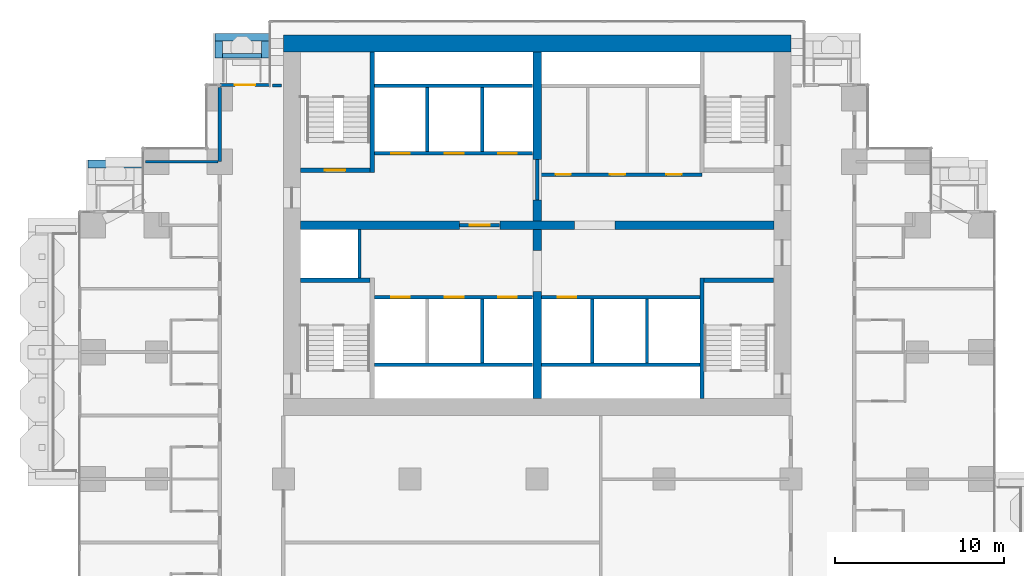
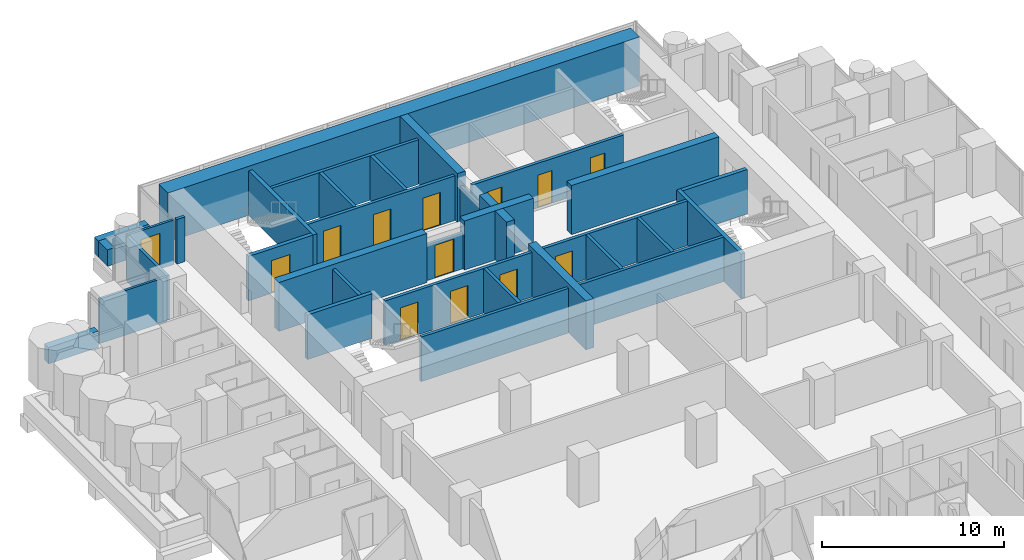
# One storey, part 14 of 19: 37 walls, 13 doors, 13 openings.
"""IFC4 building model written with IfcOpenShell, lengths in metres."""

from ifc_helpers import new_model, si_unit, direction, frame, frame_2d, origin, place, context, subcontext, project, spatial, rectangle, extrude, material, layer, layer_set, type_object, element, fill, save


model = new_model("IFC4")

# Units and contexts
model_context = context("Model", 3, precision=1e-05, world=origin(), true_north=direction((0.0, 1.0)))
body_context = subcontext(model_context, "Body", "Model", "MODEL_VIEW")
ifc_project = project(units=[si_unit("LENGTHUNIT", "METRE"), si_unit("AREAUNIT", "SQUARE_METRE"), si_unit("VOLUMEUNIT", "CUBIC_METRE"), si_unit("PLANEANGLEUNIT", "RADIAN"), si_unit("MASSUNIT", "GRAM", prefix="KILO")], contexts=[model_context])

# Site, building, storey
site_placement = place(None, origin())
site = spatial("IfcSite", under=ifc_project, at=site_placement, CompositionType="ELEMENT")
building_placement = place(site_placement, origin())
building = spatial("IfcBuilding", under=site, at=building_placement, Name="Pilkhan Gate Tower", CompositionType="ELEMENT")
storey_placement = place(building_placement, frame((0.0, 0.0, 62.60009765625)))
storey = spatial("IfcBuildingStorey", under=building, at=storey_placement, Name="L13", CompositionType="ELEMENT", Elevation=62.60009765625)

# Walls
ifc_material_1 = material(Name="Concrete C40/50", Category="concrete")
ifc_layer_1 = layer(ifc_material_1, 0.25)
ifc_layer_set_1 = layer_set([ifc_layer_1], Name="Balcony planter BP250")
wall_type_1 = type_object("IfcWallType", Name="Balcony planter BP250", PredefinedType="USERDEFINED", material=ifc_layer_set_1)
wall_1_placement = place(storey_placement, frame((56.39990234375, 92.52490234375, 0.0), z_axis=(0.0, 0.0, 1.0), x_axis=(1.0, 0.0, 0.0)))
element("IfcWall", 1, at=wall_1_placement, inside=storey, type_object=wall_type_1, Name="Balcony planter L13 N", ObjectType="BALCONY PLANTER", PredefinedType="USERDEFINED", context=body_context, shape_type="SweptSolid", body=[
    extrude(rectangle(XDim=2.300048828125, YDim=0.25, at=frame_2d((1.14990234375, 0.0))), origin(), (0.0, 0.0, 1.0), 1.0),
])
ifc_material_2 = material(Name="Board-marked Concrete C40/50", Category="concrete")
ifc_layer_2 = layer(ifc_material_2, 0.449951171875)
ifc_layer_set_2 = layer_set([ifc_layer_2], Name="Balcony planter lip BL450")
wall_type_2 = type_object("IfcWallType", Name="Balcony planter lip BL450", PredefinedType="USERDEFINED", material=ifc_layer_set_2)
wall_2_placement = place(storey_placement, frame((55.949951171875, 93.625, 0.0), z_axis=(0.0, 0.0, 1.0), x_axis=(1.0, 0.0, 0.0)))
element("IfcWall", 2, at=wall_2_placement, inside=storey, type_object=wall_type_2, Name="Balcony planter L13 N", ObjectType="BALCONY PLANTER", PredefinedType="USERDEFINED", context=body_context, shape_type="SweptSolid", body=[
    extrude(rectangle(XDim=3.199951171875, YDim=0.449951171875, at=frame_2d((1.60009765625, 0.0))), origin(), (0.0, 0.0, 1.0), 1.099853515625),
])
for number, where, z_axis, x_axis, name in (
    (3, (56.175048828125, 92.39990234375, 0.0), (0.0, 0.0, 1.0), (0.0, 1.0, 0.0), "Balcony planter L13 N"),
    (4, (58.925048828125, 92.39990234375, 0.0), (0.0, 0.0, 1.0), (0.0, 1.0, 0.0), "Balcony planter L13 N"),
):
    element("IfcWall", number, at=place(storey_placement, frame(where, z_axis=z_axis, x_axis=x_axis)), inside=storey, type_object=wall_type_2, Name=name, ObjectType="BALCONY PLANTER", PredefinedType="USERDEFINED", context=body_context, shape_type="SweptSolid", body=[
        extrude(rectangle(XDim=1.0, YDim=0.449951171875, at=frame_2d((0.5, 0.0))), origin(), (0.0, 0.0, 1.0), 1.099853515625),
    ])
wall_3_placement = place(storey_placement, frame((48.449951171875, 86.125, 0.0), z_axis=(0.0, 0.0, 1.0), x_axis=(1.0, 0.0, 0.0)))
element("IfcWall", 5, at=wall_3_placement, inside=storey, type_object=wall_type_2, Name="Balcony planter L13 N", ObjectType="BALCONY PLANTER", PredefinedType="USERDEFINED", context=body_context, shape_type="SweptSolid", body=[
    extrude(rectangle(XDim=3.179931640625, YDim=0.449951171875, at=frame_2d((1.58984375, 0.0))), origin(), (0.0, 0.0, 1.0), 1.099853515625),
])
ifc_material_3 = material(Name="Concrete C70/85", Category="concrete")
ifc_layer_3 = layer(ifc_material_3, 1.0)
ifc_layer_set_3 = layer_set([ifc_layer_3], Name="Core wall CW1000 C70/85")
wall_type_3 = type_object("IfcWallType", Name="Core wall CW1000 C70/85", PredefinedType="SHEAR", material=ifc_layer_set_3)
wall_4_placement = place(storey_placement, frame((90.0, 93.25, 0.0), z_axis=(0.0, 0.0, 1.0), x_axis=(-1.0, 0.0, 0.0)))
element("IfcWall", 6, at=wall_4_placement, inside=storey, type_object=wall_type_3, Name="Core wall N L13", PredefinedType="SHEAR", context=body_context, shape_type="SweptSolid", body=[
    extrude(rectangle(XDim=30.0, YDim=1.0, at=frame_2d((15.0, 0.0))), origin(), (0.0, 0.0, 1.0), 3.2998046875),
])
ifc_material_4 = material(Name="Dense blockwork", Category="masonry")
ifc_layer_4 = layer(ifc_material_4, 0.199951171875)
ifc_layer_set_4 = layer_set([ifc_layer_4], Name="Corridor wall FW200")
wall_type_4 = type_object("IfcWallType", Name="Corridor wall FW200", PredefinedType="PARTITIONING", material=ifc_layer_set_4)
wall_5_placement = place(storey_placement, frame((59.35498046875, 90.764892578125, 0.0), z_axis=(0.0, 0.0, 1.0), x_axis=(1.0, 0.0, 0.0)))
element("IfcWall", 7, at=wall_5_placement, inside=storey, type_object=wall_type_4, Name="Partition L13", PredefinedType="PARTITIONING", context=body_context, shape_type="SweptSolid", body=[
    extrude(rectangle(XDim=0.52490234375, YDim=0.199951171875, at=frame_2d((0.262451171875, 0.0))), origin(), (0.0, 0.0, 1.0), 3.0),
])
wall_6_placement = place(storey_placement, frame((56.25, 86.280029296875, 0.0), z_axis=(0.0, 0.0, 1.0), x_axis=(0.0, 1.0, 0.0)))
element("IfcWall", 8, at=wall_6_placement, inside=storey, type_object=wall_type_4, Name="Partition L13", PredefinedType="PARTITIONING", context=body_context, shape_type="SweptSolid", body=[
    extrude(rectangle(XDim=4.364990234375, YDim=0.199951171875, at=frame_2d((2.1826171875, 0.0))), origin(), (0.0, 0.0, 1.0), 3.0),
])

# Wall, opening, door
ifc_material_5 = material(Name="Pale anodised aluminium, clear laminated glazing", Category="aluminium")
ifc_layer_5 = layer(ifc_material_5, 0.14990234375)
ifc_layer_set_5 = layer_set([ifc_layer_5], Name="Facade infill wall IW150")
wall_type_5 = type_object("IfcWallType", Name="Facade infill wall IW150", PredefinedType="SOLIDWALL", material=ifc_layer_set_5)
wall_7_placement = place(storey_placement, frame((56.25, 90.794921875, 0.0), z_axis=(0.0, 0.0, 1.0), x_axis=(1.0, 0.0, 0.0)))
wall_7 = element("IfcWall", 9, at=wall_7_placement, inside=storey, type_object=wall_type_5, Name="Infill wall L13 N", PredefinedType="SOLIDWALL", context=body_context, shape_type="SweptSolid", body=[
    extrude(rectangle(XDim=2.955078125, YDim=0.14990234375, at=frame_2d((1.4775390625, 0.0))), origin(), (0.0, 0.0, 1.0), 3.0),
])
opening_1_placement = place(wall_7_placement, frame((0.87744140625, 0.0, 0.0)))
opening_1 = element("IfcOpeningElement", 10, at=opening_1_placement, cuts=wall_7, Name="Opening D1", PredefinedType="OPENING", context=body_context, shape_type="SweptSolid", body=[
    extrude(rectangle(XDim=1.199951171875, YDim=2.39990234375, at=frame_2d((0.60009765625, 1.199951171875))), frame((0.0, 0.0849609375, 0.0), z_axis=(0.0, -1.0, 0.0), x_axis=(1.0, 0.0, 0.0)), (0.0, 0.0, 1.0), 0.169921875),
])
ifc_material_6 = material(Name="Pale anodised aluminium, clear glazing", Category="aluminium")
door_type_1 = type_object("IfcDoorType", Name="Balcony door D1 1200x2400", OperationType="SINGLE_SWING_LEFT", PredefinedType="DOOR", material=ifc_material_6)
door_1_placement = place(opening_1_placement, origin())
door_1 = element("IfcDoor", 11, at=door_1_placement, inside=storey, type_object=door_type_1, Name="Balcony door L13", OperationType="SINGLE_SWING_LEFT", OverallHeight=2.39990234375, OverallWidth=1.199951171875, PredefinedType="DOOR", context=body_context, shape_type="SweptSolid", body=[
    extrude(rectangle(XDim=1.199951171875, YDim=2.39990234375, at=frame_2d((0.60009765625, 1.199951171875))), frame((0.0, 0.02490234375, 0.0), z_axis=(0.0, -1.0, 0.0), x_axis=(1.0, 0.0, 0.0)), (0.0, 0.0, 1.0), 0.050048828125),
])
fill(opening_1, door_1)

ifc_layer_6 = layer(ifc_material_4, 0.199951171875)
ifc_layer_set_6 = layer_set([ifc_layer_6], Name="Lobby wall LW200")
wall_type_6 = type_object("IfcWallType", Name="Lobby wall LW200", PredefinedType="PARTITIONING", material=ifc_layer_set_6)
wall_8_placement = place(storey_placement, frame((70.409912109375, 82.5, 0.0), z_axis=(0.0, 0.0, 1.0), x_axis=(1.0, 0.0, 0.0)))
wall_8 = element("IfcWall", 12, at=wall_8_placement, inside=storey, type_object=wall_type_6, Name="Partition L13", PredefinedType="PARTITIONING", context=body_context, shape_type="SweptSolid", body=[
    extrude(rectangle(XDim=2.380126953125, YDim=0.199951171875, at=frame_2d((1.18994140625, 0.0))), origin(), (0.0, 0.0, 1.0), 2.39990234375),
])
opening_2_placement = place(wall_8_placement, frame((0.60009765625, 0.0, 0.0)))
opening_2 = element("IfcOpeningElement", 13, at=opening_2_placement, cuts=wall_8, Name="Opening L13-01", PredefinedType="OPENING", context=body_context, shape_type="SweptSolid", body=[
    extrude(rectangle(XDim=1.199951171875, YDim=2.199951171875, at=frame_2d((0.60009765625, 1.10009765625))), frame((0.0, 0.10986328125, 0.0), z_axis=(0.0, -1.0, 0.0), x_axis=(1.0, 0.0, 0.0)), (0.0, 0.0, 1.0), 0.219970703125),
])
ifc_material_7 = material(Name="Steel door, 120 minute fire resisting, self-closing", Category="steel")
door_type_2 = type_object("IfcDoorType", Name="Firefighting lobby door D10 1200x2200", OperationType="SINGLE_SWING_LEFT", PredefinedType="DOOR", material=ifc_material_7)
door_2_placement = place(opening_2_placement, origin())
door_2 = element("IfcDoor", 14, at=door_2_placement, inside=storey, type_object=door_type_2, Name="Firefighting lobby door", OperationType="SINGLE_SWING_RIGHT", OverallHeight=2.199951171875, OverallWidth=1.199951171875, PredefinedType="DOOR", context=body_context, shape_type="SweptSolid", body=[
    extrude(rectangle(XDim=1.199951171875, YDim=2.199951171875, at=frame_2d((0.60009765625, 1.10009765625))), frame((0.0, 0.02490234375, 0.0), z_axis=(0.0, -1.0, 0.0), x_axis=(1.0, 0.0, 0.0)), (0.0, 0.0, 1.0), 0.050048828125),
])
fill(opening_2, door_2)

# Wall, openings, doors
wall_9_placement = place(storey_placement, frame((75.10009765625, 85.5, 0.0), z_axis=(0.0, 0.0, 1.0), x_axis=(1.0, 0.0, 0.0)))
wall_9 = element("IfcWall", 15, at=wall_9_placement, inside=storey, type_object=wall_type_6, Name="Partition L13", PredefinedType="PARTITIONING", context=body_context, shape_type="SweptSolid", body=[
    extrude(rectangle(XDim=9.64990234375, YDim=0.199951171875, at=frame_2d((4.824951171875, 0.0))), origin(), (0.0, 0.0, 1.0), 3.0),
])
opening_3_placement = place(wall_9_placement, frame((1.0, 0.0, 0.0)))
opening_3 = element("IfcOpeningElement", 16, at=opening_3_placement, cuts=wall_9, Name="Opening L13-57", PredefinedType="OPENING", context=body_context, shape_type="SweptSolid", body=[
    extrude(rectangle(XDim=0.89990234375, YDim=2.199951171875, at=frame_2d((0.449951171875, 1.10009765625))), frame((0.0, 0.10986328125, 0.0), z_axis=(0.0, -1.0, 0.0), x_axis=(1.0, 0.0, 0.0)), (0.0, 0.0, 1.0), 0.219970703125),
])
opening_4_placement = place(wall_9_placement, frame((4.199951171875, 0.0, 0.0)))
opening_4 = element("IfcOpeningElement", 17, at=opening_4_placement, cuts=wall_9, Name="Opening L13-58", PredefinedType="OPENING", context=body_context, shape_type="SweptSolid", body=[
    extrude(rectangle(XDim=0.89990234375, YDim=2.199951171875, at=frame_2d((0.449951171875, 1.10009765625))), frame((0.0, 0.10986328125, 0.0), z_axis=(0.0, -1.0, 0.0), x_axis=(1.0, 0.0, 0.0)), (0.0, 0.0, 1.0), 0.219970703125),
])
opening_5_placement = place(wall_9_placement, frame((7.550048828125, 0.0, 0.0)))
opening_5 = element("IfcOpeningElement", 18, at=opening_5_placement, cuts=wall_9, Name="Opening L13-59", PredefinedType="OPENING", context=body_context, shape_type="SweptSolid", body=[
    extrude(rectangle(XDim=0.89990234375, YDim=2.199951171875, at=frame_2d((0.449951171875, 1.10009765625))), frame((0.0, 0.10986328125, 0.0), z_axis=(0.0, -1.0, 0.0), x_axis=(1.0, 0.0, 0.0)), (0.0, 0.0, 1.0), 0.219970703125),
])
ifc_material_8 = material(Name="Timber flush door, 60 minute fire resisting, self-closing", Category="wood")
door_type_3 = type_object("IfcDoorType", Name="Store door D05 900x2200", OperationType="SINGLE_SWING_LEFT", PredefinedType="DOOR", material=ifc_material_8)
door_3_placement = place(opening_4_placement, origin())
door_3 = element("IfcDoor", 19, at=door_3_placement, inside=storey, type_object=door_type_3, Name="Store door", OperationType="SINGLE_SWING_RIGHT", OverallHeight=2.199951171875, OverallWidth=0.89990234375, PredefinedType="DOOR", context=body_context, shape_type="SweptSolid", body=[
    extrude(rectangle(XDim=0.89990234375, YDim=2.199951171875, at=frame_2d((0.449951171875, 1.10009765625))), frame((0.0, 0.02490234375, 0.0), z_axis=(0.0, -1.0, 0.0), x_axis=(1.0, 0.0, 0.0)), (0.0, 0.0, 1.0), 0.050048828125),
])
fill(opening_4, door_3)
door_4_placement = place(opening_5_placement, origin())
door_4 = element("IfcDoor", 20, at=door_4_placement, inside=storey, type_object=door_type_3, Name="Store door", OperationType="SINGLE_SWING_RIGHT", OverallHeight=2.199951171875, OverallWidth=0.89990234375, PredefinedType="DOOR", context=body_context, shape_type="SweptSolid", body=[
    extrude(rectangle(XDim=0.89990234375, YDim=2.199951171875, at=frame_2d((0.449951171875, 1.10009765625))), frame((0.0, 0.02490234375, 0.0), z_axis=(0.0, -1.0, 0.0), x_axis=(1.0, 0.0, 0.0)), (0.0, 0.0, 1.0), 0.050048828125),
])
fill(opening_5, door_4)
ifc_material_9 = material(Name="Timber flush door, 30 minute fire resisting", Category="wood")
door_type_4 = type_object("IfcDoorType", Name="Toilet door D06 900x2200", OperationType="SINGLE_SWING_LEFT", PredefinedType="DOOR", material=ifc_material_9)
door_5_placement = place(opening_3_placement, origin())
door_5 = element("IfcDoor", 21, at=door_5_placement, inside=storey, type_object=door_type_4, Name="Toilet door", OperationType="SINGLE_SWING_RIGHT", OverallHeight=2.199951171875, OverallWidth=0.89990234375, PredefinedType="DOOR", context=body_context, shape_type="SweptSolid", body=[
    extrude(rectangle(XDim=0.89990234375, YDim=2.199951171875, at=frame_2d((0.449951171875, 1.10009765625))), frame((0.0, 0.02490234375, 0.0), z_axis=(0.0, -1.0, 0.0), x_axis=(1.0, 0.0, 0.0)), (0.0, 0.0, 1.0), 0.050048828125),
])
fill(opening_3, door_5)

# Walls
wall_10_placement = place(storey_placement, frame((75.0, 84.010009765625, 0.0), z_axis=(0.0, 0.0, 1.0), x_axis=(0.0, 1.0, 0.0)))
element("IfcWall", 22, at=wall_10_placement, inside=storey, type_object=wall_type_6, Name="Partition L13", PredefinedType="PARTITIONING", context=body_context, shape_type="SweptSolid", body=[
    extrude(rectangle(XDim=2.3798828125, YDim=0.199951171875, at=frame_2d((1.18994140625, 0.0))), origin(), (0.0, 0.0, 1.0), 2.39990234375),
])
ifc_material_10 = material(Name="Blockwork partition, plastered both sides", Category="masonry")
ifc_layer_7 = layer(ifc_material_10, 0.14990234375)
ifc_layer_set_7 = layer_set([ifc_layer_7], Name="Partition PW150")
wall_type_7 = type_object("IfcWallType", Name="Partition PW150", PredefinedType="PARTITIONING", material=ifc_layer_set_7)
wall_11_placement = place(storey_placement, frame((51.85498046875, 86.25, 0.0), z_axis=(0.0, 0.0, 1.0), x_axis=(1.0, 0.0, 0.0)))
element("IfcWall", 23, at=wall_11_placement, inside=storey, type_object=wall_type_7, Name="Partition L13", PredefinedType="PARTITIONING", context=body_context, shape_type="SweptSolid", body=[
    extrude(rectangle(XDim=4.294921875, YDim=0.14990234375, at=frame_2d((2.1474609375, 0.0))), origin(), (0.0, 0.0, 1.0), 3.0),
])
ifc_material_11 = material(Name="Reinforced blockwork shaft wall, 120 minute fire resisting", Category="masonry")
ifc_layer_8 = layer(ifc_material_11, 0.199951171875)
ifc_layer_set_8 = layer_set([ifc_layer_8], Name="Shaft wall SW200")
wall_type_8 = type_object("IfcWallType", Name="Shaft wall SW200", PredefinedType="PARTITIONING", material=ifc_layer_set_8)
for number, where, z_axis, x_axis, name in (
    (24, (65.375, 74.25, 0.0), (0.0, 0.0, 1.0), (1.0, 0.0, 0.0), "Partition L13"),
    (25, (75.260009765625, 74.25, 0.0), (0.0, 0.0, 1.0), (1.0, 0.0, 0.0), "Partition L13"),
):
    element("IfcWall", number, at=place(storey_placement, frame(where, z_axis=z_axis, x_axis=x_axis)), inside=storey, type_object=wall_type_8, Name=name, PredefinedType="PARTITIONING", context=body_context, shape_type="SweptSolid", body=[
        extrude(rectangle(XDim=9.364990234375, YDim=0.199951171875, at=frame_2d((4.6826171875, 0.0))), origin(), (0.0, 0.0, 1.0), 3.0),
    ])

# Wall, openings, doors
wall_12_placement = place(storey_placement, frame((65.375, 78.25, 0.0), z_axis=(0.0, 0.0, 1.0), x_axis=(1.0, 0.0, 0.0)))
wall_12 = element("IfcWall", 26, at=wall_12_placement, inside=storey, type_object=wall_type_8, Name="Partition L13", PredefinedType="PARTITIONING", context=body_context, shape_type="SweptSolid", body=[
    extrude(rectangle(XDim=9.364990234375, YDim=0.199951171875, at=frame_2d((4.6826171875, 0.0))), origin(), (0.0, 0.0, 1.0), 3.0),
])
opening_6_placement = place(wall_12_placement, frame((1.0, 0.0, 0.0)))
opening_6 = element("IfcOpeningElement", 27, at=opening_6_placement, cuts=wall_12, Name="Opening LD", PredefinedType="OPENING", context=body_context, shape_type="SweptSolid", body=[
    extrude(rectangle(XDim=1.10009765625, YDim=2.199951171875, at=frame_2d((0.550048828125, 1.10009765625))), frame((0.0, 0.10986328125, 0.0), z_axis=(0.0, -1.0, 0.0), x_axis=(1.0, 0.0, 0.0)), (0.0, 0.0, 1.0), 0.219970703125),
])
opening_7_placement = place(wall_12_placement, frame((4.175048828125, 0.0, 0.0)))
opening_7 = element("IfcOpeningElement", 28, at=opening_7_placement, cuts=wall_12, Name="Opening LD", PredefinedType="OPENING", context=body_context, shape_type="SweptSolid", body=[
    extrude(rectangle(XDim=1.10009765625, YDim=2.199951171875, at=frame_2d((0.550048828125, 1.10009765625))), frame((0.0, 0.10986328125, 0.0), z_axis=(0.0, -1.0, 0.0), x_axis=(1.0, 0.0, 0.0)), (0.0, 0.0, 1.0), 0.219970703125),
])
opening_8_placement = place(wall_12_placement, frame((7.324951171875, 0.0, 0.0)))
opening_8 = element("IfcOpeningElement", 29, at=opening_8_placement, cuts=wall_12, Name="Opening LD", PredefinedType="OPENING", context=body_context, shape_type="SweptSolid", body=[
    extrude(rectangle(XDim=1.10009765625, YDim=2.199951171875, at=frame_2d((0.550048828125, 1.10009765625))), frame((0.0, 0.10986328125, 0.0), z_axis=(0.0, -1.0, 0.0), x_axis=(1.0, 0.0, 0.0)), (0.0, 0.0, 1.0), 0.219970703125),
])
ifc_material_12 = material(Name="Stainless steel centre-opening landing door, 120 minute fire resisting", Category="steel")
door_type_5 = type_object("IfcDoorType", Name="Lift landing door LD 1100x2200", OperationType="DOUBLE_DOOR_SLIDING", PredefinedType="DOOR", material=ifc_material_12)
door_6_placement = place(opening_6_placement, origin())
door_6 = element("IfcDoor", 30, at=door_6_placement, inside=storey, type_object=door_type_5, Name="Landing door LR1", OperationType="DOUBLE_DOOR_SLIDING", OverallHeight=2.199951171875, OverallWidth=1.10009765625, PredefinedType="DOOR", context=body_context, shape_type="SweptSolid", body=[
    extrude(rectangle(XDim=1.10009765625, YDim=2.199951171875, at=frame_2d((0.550048828125, 1.10009765625))), frame((0.0, 0.02490234375, 0.0), z_axis=(0.0, -1.0, 0.0), x_axis=(1.0, 0.0, 0.0)), (0.0, 0.0, 1.0), 0.050048828125),
])
fill(opening_6, door_6)
door_7_placement = place(opening_7_placement, origin())
door_7 = element("IfcDoor", 31, at=door_7_placement, inside=storey, type_object=door_type_5, Name="Landing door LR2", OperationType="DOUBLE_DOOR_SLIDING", OverallHeight=2.199951171875, OverallWidth=1.10009765625, PredefinedType="DOOR", context=body_context, shape_type="SweptSolid", body=[
    extrude(rectangle(XDim=1.10009765625, YDim=2.199951171875, at=frame_2d((0.550048828125, 1.10009765625))), frame((0.0, 0.02490234375, 0.0), z_axis=(0.0, -1.0, 0.0), x_axis=(1.0, 0.0, 0.0)), (0.0, 0.0, 1.0), 0.050048828125),
])
fill(opening_7, door_7)
door_8_placement = place(opening_8_placement, origin())
door_8 = element("IfcDoor", 32, at=door_8_placement, inside=storey, type_object=door_type_5, Name="Landing door LR3", OperationType="DOUBLE_DOOR_SLIDING", OverallHeight=2.199951171875, OverallWidth=1.10009765625, PredefinedType="DOOR", context=body_context, shape_type="SweptSolid", body=[
    extrude(rectangle(XDim=1.10009765625, YDim=2.199951171875, at=frame_2d((0.550048828125, 1.10009765625))), frame((0.0, 0.02490234375, 0.0), z_axis=(0.0, -1.0, 0.0), x_axis=(1.0, 0.0, 0.0)), (0.0, 0.0, 1.0), 0.050048828125),
])
fill(opening_8, door_8)

# Wall, opening, door
wall_13_placement = place(storey_placement, frame((75.260009765625, 78.25, 0.0), z_axis=(0.0, 0.0, 1.0), x_axis=(1.0, 0.0, 0.0)))
wall_13 = element("IfcWall", 33, at=wall_13_placement, inside=storey, type_object=wall_type_8, Name="Partition L13", PredefinedType="PARTITIONING", context=body_context, shape_type="SweptSolid", body=[
    extrude(rectangle(XDim=9.364990234375, YDim=0.199951171875, at=frame_2d((4.6826171875, 0.0))), origin(), (0.0, 0.0, 1.0), 3.0),
])
opening_9_placement = place(wall_13_placement, frame((0.949951171875, 0.0, 0.0)))
opening_9 = element("IfcOpeningElement", 34, at=opening_9_placement, cuts=wall_13, Name="Opening LD", PredefinedType="OPENING", context=body_context, shape_type="SweptSolid", body=[
    extrude(rectangle(XDim=1.10009765625, YDim=2.199951171875, at=frame_2d((0.550048828125, 1.10009765625))), frame((0.0, 0.10986328125, 0.0), z_axis=(0.0, -1.0, 0.0), x_axis=(1.0, 0.0, 0.0)), (0.0, 0.0, 1.0), 0.219970703125),
])
door_9_placement = place(opening_9_placement, origin())
door_9 = element("IfcDoor", 35, at=door_9_placement, inside=storey, type_object=door_type_5, Name="Landing door LR4", OperationType="DOUBLE_DOOR_SLIDING", OverallHeight=2.199951171875, OverallWidth=1.10009765625, PredefinedType="DOOR", context=body_context, shape_type="SweptSolid", body=[
    extrude(rectangle(XDim=1.10009765625, YDim=2.199951171875, at=frame_2d((0.550048828125, 1.10009765625))), frame((0.0, 0.02490234375, 0.0), z_axis=(0.0, -1.0, 0.0), x_axis=(1.0, 0.0, 0.0)), (0.0, 0.0, 1.0), 0.050048828125),
])
fill(opening_9, door_9)

# Wall, openings, doors
wall_14_placement = place(storey_placement, frame((65.375, 86.75, 0.0), z_axis=(0.0, 0.0, 1.0), x_axis=(1.0, 0.0, 0.0)))
wall_14 = element("IfcWall", 36, at=wall_14_placement, inside=storey, type_object=wall_type_8, Name="Partition L13", PredefinedType="PARTITIONING", context=body_context, shape_type="SweptSolid", body=[
    extrude(rectangle(XDim=9.364990234375, YDim=0.199951171875, at=frame_2d((4.6826171875, 0.0))), origin(), (0.0, 0.0, 1.0), 3.0),
])
opening_10_placement = place(wall_14_placement, frame((1.0, 0.0, 0.0)))
opening_10 = element("IfcOpeningElement", 37, at=opening_10_placement, cuts=wall_14, Name="Opening LD", PredefinedType="OPENING", context=body_context, shape_type="SweptSolid", body=[
    extrude(rectangle(XDim=1.10009765625, YDim=2.199951171875, at=frame_2d((0.550048828125, 1.10009765625))), frame((0.0, 0.10986328125, 0.0), z_axis=(0.0, -1.0, 0.0), x_axis=(1.0, 0.0, 0.0)), (0.0, 0.0, 1.0), 0.219970703125),
])
opening_11_placement = place(wall_14_placement, frame((4.175048828125, 0.0, 0.0)))
opening_11 = element("IfcOpeningElement", 38, at=opening_11_placement, cuts=wall_14, Name="Opening LD", PredefinedType="OPENING", context=body_context, shape_type="SweptSolid", body=[
    extrude(rectangle(XDim=1.10009765625, YDim=2.199951171875, at=frame_2d((0.550048828125, 1.10009765625))), frame((0.0, 0.10986328125, 0.0), z_axis=(0.0, -1.0, 0.0), x_axis=(1.0, 0.0, 0.0)), (0.0, 0.0, 1.0), 0.219970703125),
])
opening_12_placement = place(wall_14_placement, frame((7.324951171875, 0.0, 0.0)))
opening_12 = element("IfcOpeningElement", 39, at=opening_12_placement, cuts=wall_14, Name="Opening LD", PredefinedType="OPENING", context=body_context, shape_type="SweptSolid", body=[
    extrude(rectangle(XDim=1.10009765625, YDim=2.199951171875, at=frame_2d((0.550048828125, 1.10009765625))), frame((0.0, 0.10986328125, 0.0), z_axis=(0.0, -1.0, 0.0), x_axis=(1.0, 0.0, 0.0)), (0.0, 0.0, 1.0), 0.219970703125),
])
door_10_placement = place(opening_10_placement, origin())
door_10 = element("IfcDoor", 40, at=door_10_placement, inside=storey, type_object=door_type_5, Name="Landing door FF1", OperationType="DOUBLE_DOOR_SLIDING", OverallHeight=2.199951171875, OverallWidth=1.10009765625, PredefinedType="DOOR", context=body_context, shape_type="SweptSolid", body=[
    extrude(rectangle(XDim=1.10009765625, YDim=2.199951171875, at=frame_2d((0.550048828125, 1.10009765625))), frame((0.0, 0.02490234375, 0.0), z_axis=(0.0, -1.0, 0.0), x_axis=(1.0, 0.0, 0.0)), (0.0, 0.0, 1.0), 0.050048828125),
])
fill(opening_10, door_10)
door_11_placement = place(opening_11_placement, origin())
door_11 = element("IfcDoor", 41, at=door_11_placement, inside=storey, type_object=door_type_5, Name="Landing door FF2", OperationType="DOUBLE_DOOR_SLIDING", OverallHeight=2.199951171875, OverallWidth=1.10009765625, PredefinedType="DOOR", context=body_context, shape_type="SweptSolid", body=[
    extrude(rectangle(XDim=1.10009765625, YDim=2.199951171875, at=frame_2d((0.550048828125, 1.10009765625))), frame((0.0, 0.02490234375, 0.0), z_axis=(0.0, -1.0, 0.0), x_axis=(1.0, 0.0, 0.0)), (0.0, 0.0, 1.0), 0.050048828125),
])
fill(opening_11, door_11)
door_12_placement = place(opening_12_placement, origin())
door_12 = element("IfcDoor", 42, at=door_12_placement, inside=storey, type_object=door_type_5, Name="Landing door SV1", OperationType="DOUBLE_DOOR_SLIDING", OverallHeight=2.199951171875, OverallWidth=1.10009765625, PredefinedType="DOOR", context=body_context, shape_type="SweptSolid", body=[
    extrude(rectangle(XDim=1.10009765625, YDim=2.199951171875, at=frame_2d((0.550048828125, 1.10009765625))), frame((0.0, 0.02490234375, 0.0), z_axis=(0.0, -1.0, 0.0), x_axis=(1.0, 0.0, 0.0)), (0.0, 0.0, 1.0), 0.050048828125),
])
fill(opening_12, door_12)

# Walls
wall_15_placement = place(storey_placement, frame((65.375, 90.75, 0.0), z_axis=(0.0, 0.0, 1.0), x_axis=(1.0, 0.0, 0.0)))
element("IfcWall", 43, at=wall_15_placement, inside=storey, type_object=wall_type_8, Name="Partition L13", PredefinedType="PARTITIONING", context=body_context, shape_type="SweptSolid", body=[
    extrude(rectangle(XDim=9.364990234375, YDim=0.199951171875, at=frame_2d((4.6826171875, 0.0))), origin(), (0.0, 0.0, 1.0), 3.0),
])
wall_16_placement = place(storey_placement, frame((64.5, 79.375, 0.0), z_axis=(0.0, 0.0, 1.0), x_axis=(0.0, 1.0, 0.0)))
element("IfcWall", 44, at=wall_16_placement, inside=storey, type_object=wall_type_8, Name="Partition L13", PredefinedType="PARTITIONING", context=body_context, shape_type="SweptSolid", body=[
    extrude(rectangle(XDim=2.864990234375, YDim=0.199951171875, at=frame_2d((1.4326171875, 0.0))), origin(), (0.0, 0.0, 1.0), 3.0),
])
for number, where, z_axis, x_axis, name in (
    (45, (68.5, 86.85009765625, 0.0), (0.0, 0.0, 1.0), (0.0, 1.0, 0.0), "Partition L13"),
    (46, (71.75, 74.35009765625, 0.0), (0.0, 0.0, 1.0), (0.0, 1.0, 0.0), "Partition L13"),
    (47, (71.75, 86.85009765625, 0.0), (0.0, 0.0, 1.0), (0.0, 1.0, 0.0), "Partition L13"),
    (48, (78.25, 74.35009765625, 0.0), (0.0, 0.0, 1.0), (0.0, 1.0, 0.0), "Partition L13"),
    (49, (81.5, 74.35009765625, 0.0), (0.0, 0.0, 1.0), (0.0, 1.0, 0.0), "Partition L13"),
):
    element("IfcWall", number, at=place(storey_placement, frame(where, z_axis=z_axis, x_axis=x_axis)), inside=storey, type_object=wall_type_8, Name=name, PredefinedType="PARTITIONING", context=body_context, shape_type="SweptSolid", body=[
        extrude(rectangle(XDim=3.7998046875, YDim=0.199951171875, at=frame_2d((1.89990234375, 0.0))), origin(), (0.0, 0.0, 1.0), 3.0),
    ])
ifc_layer_9 = layer(ifc_material_3, 0.5)
ifc_layer_set_9 = layer_set([ifc_layer_9], Name="Spine wall SW500 C70/85")
wall_type_9 = type_object("IfcWallType", Name="Spine wall SW500 C70/85", PredefinedType="SHEAR", material=ifc_layer_set_9)
wall_17_placement = place(storey_placement, frame((61.0, 82.5, 0.0), z_axis=(0.0, 0.0, 1.0), x_axis=(1.0, 0.0, 0.0)))
element("IfcWall", 50, at=wall_17_placement, inside=storey, type_object=wall_type_9, Name="Spine wall SP-EW1 L13", PredefinedType="SHEAR", context=body_context, shape_type="SweptSolid", body=[
    extrude(rectangle(XDim=9.39990234375, YDim=0.5, at=frame_2d((4.699951171875, 0.0))), origin(), (0.0, 0.0, 1.0), 3.2998046875),
])
wall_18_placement = place(storey_placement, frame((72.800048828125, 82.5, 0.0), z_axis=(0.0, 0.0, 1.0), x_axis=(1.0, 0.0, 0.0)))
element("IfcWall", 51, at=wall_18_placement, inside=storey, type_object=wall_type_9, Name="Spine wall SP-EW2 L13", PredefinedType="SHEAR", context=body_context, shape_type="SweptSolid", body=[
    extrude(rectangle(XDim=4.39990234375, YDim=0.5, at=frame_2d((2.199951171875, 0.0))), origin(), (0.0, 0.0, 1.0), 3.2998046875),
])
wall_19_placement = place(storey_placement, frame((79.60009765625, 82.5, 0.0), z_axis=(0.0, 0.0, 1.0), x_axis=(1.0, 0.0, 0.0)))
element("IfcWall", 52, at=wall_19_placement, inside=storey, type_object=wall_type_9, Name="Spine wall SP-EW3 L13", PredefinedType="SHEAR", context=body_context, shape_type="SweptSolid", body=[
    extrude(rectangle(XDim=9.39990234375, YDim=0.5, at=frame_2d((4.699951171875, 0.0))), origin(), (0.0, 0.0, 1.0), 3.2998046875),
])
wall_20_placement = place(storey_placement, frame((75.0, 72.25, 0.0), z_axis=(0.0, 0.0, 1.0), x_axis=(0.0, 1.0, 0.0)))
element("IfcWall", 53, at=wall_20_placement, inside=storey, type_object=wall_type_9, Name="Spine wall SP-NS-S1 L13", PredefinedType="SHEAR", context=body_context, shape_type="SweptSolid", body=[
    extrude(rectangle(XDim=6.35009765625, YDim=0.5, at=frame_2d((3.175048828125, 0.0))), origin(), (0.0, 0.0, 1.0), 3.2998046875),
])
for number, where, z_axis, x_axis, name in (
    (54, (75.0, 81.0, 0.0), (0.0, 0.0, 1.0), (0.0, 1.0, 0.0), "Spine wall SP-NS-S2 L13"),
    (55, (75.0, 82.75, 0.0), (0.0, 0.0, 1.0), (0.0, 1.0, 0.0), "Spine wall SP-NS-N1 L13"),
):
    element("IfcWall", number, at=place(storey_placement, frame(where, z_axis=z_axis, x_axis=x_axis)), inside=storey, type_object=wall_type_9, Name=name, PredefinedType="SHEAR", context=body_context, shape_type="SweptSolid", body=[
        extrude(rectangle(XDim=1.25, YDim=0.5, at=frame_2d((0.625, 0.0))), origin(), (0.0, 0.0, 1.0), 3.2998046875),
    ])
wall_21_placement = place(storey_placement, frame((75.0, 86.39990234375, 0.0), z_axis=(0.0, 0.0, 1.0), x_axis=(0.0, 1.0, 0.0)))
element("IfcWall", 56, at=wall_21_placement, inside=storey, type_object=wall_type_9, Name="Spine wall SP-NS-N2 L13", PredefinedType="SHEAR", context=body_context, shape_type="SweptSolid", body=[
    extrude(rectangle(XDim=6.35009765625, YDim=0.5, at=frame_2d((3.175048828125, 0.0))), origin(), (0.0, 0.0, 1.0), 3.2998046875),
])
ifc_material_13 = material(Name="Reinforced blockwork, 120 minute fire resisting", Category="masonry")
ifc_layer_10 = layer(ifc_material_13, 0.25)
ifc_layer_set_10 = layer_set([ifc_layer_10], Name="Stair enclosure wall SE250")
wall_type_10 = type_object("IfcWallType", Name="Stair enclosure wall SE250", PredefinedType="PARTITIONING", material=ifc_layer_set_10)
for number, where, z_axis, x_axis, name in (
    (57, (61.010009765625, 79.25, 0.0), (0.0, 0.0, 1.0), (1.0, 0.0, 0.0), "Partition L13"),
    (58, (84.875, 79.25, 0.0), (0.0, 0.0, 1.0), (1.0, 0.0, 0.0), "Partition L13"),
):
    element("IfcWall", number, at=place(storey_placement, frame(where, z_axis=z_axis, x_axis=x_axis)), inside=storey, type_object=wall_type_10, Name=name, PredefinedType="PARTITIONING", context=body_context, shape_type="SweptSolid", body=[
        extrude(rectangle(XDim=4.114990234375, YDim=0.25, at=frame_2d((2.0576171875, 0.0))), origin(), (0.0, 0.0, 1.0), 3.0),
    ])

# Wall, opening, door
wall_22_placement = place(storey_placement, frame((61.010009765625, 85.75, 0.0), z_axis=(0.0, 0.0, 1.0), x_axis=(1.0, 0.0, 0.0)))
wall_22 = element("IfcWall", 59, at=wall_22_placement, inside=storey, type_object=wall_type_10, Name="Partition L13", PredefinedType="PARTITIONING", context=body_context, shape_type="SweptSolid", body=[
    extrude(rectangle(XDim=4.114990234375, YDim=0.25, at=frame_2d((2.0576171875, 0.0))), origin(), (0.0, 0.0, 1.0), 3.0),
])
opening_13_placement = place(wall_22_placement, frame((1.449951171875, 0.0, 0.0)))
opening_13 = element("IfcOpeningElement", 60, at=opening_13_placement, cuts=wall_22, Name="Opening L13-02", PredefinedType="OPENING", context=body_context, shape_type="SweptSolid", body=[
    extrude(rectangle(XDim=1.199951171875, YDim=2.199951171875, at=frame_2d((0.60009765625, 1.10009765625))), frame((0.0, 0.135009765625, 0.0), z_axis=(0.0, -1.0, 0.0), x_axis=(1.0, 0.0, 0.0)), (0.0, 0.0, 1.0), 0.27001953125),
])
ifc_material_14 = material(Name="Steel door, 120 minute fire resisting, panic bar", Category="steel")
door_type_6 = type_object("IfcDoorType", Name="Stair door D11 1200x2200", OperationType="SINGLE_SWING_LEFT", PredefinedType="DOOR", material=ifc_material_14)
door_13_placement = place(opening_13_placement, origin())
door_13 = element("IfcDoor", 61, at=door_13_placement, inside=storey, type_object=door_type_6, Name="Stair ST3 lobby door", OperationType="SINGLE_SWING_RIGHT", OverallHeight=2.199951171875, OverallWidth=1.199951171875, PredefinedType="DOOR", context=body_context, shape_type="SweptSolid", body=[
    extrude(rectangle(XDim=1.199951171875, YDim=2.199951171875, at=frame_2d((0.60009765625, 1.10009765625))), frame((0.0, 0.02490234375, 0.0), z_axis=(0.0, -1.0, 0.0), x_axis=(1.0, 0.0, 0.0)), (0.0, 0.0, 1.0), 0.050048828125),
])
fill(opening_13, door_13)

# Walls
for number, where, z_axis, x_axis, name in (
    (62, (65.25, 85.625, 0.0), (0.0, 0.0, 1.0), (0.0, 1.0, 0.0), "Partition L13"),
    (63, (84.75, 72.260009765625, 0.0), (0.0, 0.0, 1.0), (0.0, 1.0, 0.0), "Partition L13"),
):
    element("IfcWall", number, at=place(storey_placement, frame(where, z_axis=z_axis, x_axis=x_axis)), inside=storey, type_object=wall_type_10, Name=name, PredefinedType="PARTITIONING", context=body_context, shape_type="SweptSolid", body=[
        extrude(rectangle(XDim=7.114990234375, YDim=0.25, at=frame_2d((3.5576171875, 0.0))), origin(), (0.0, 0.0, 1.0), 3.0),
    ])

save(model, "model.ifc")
